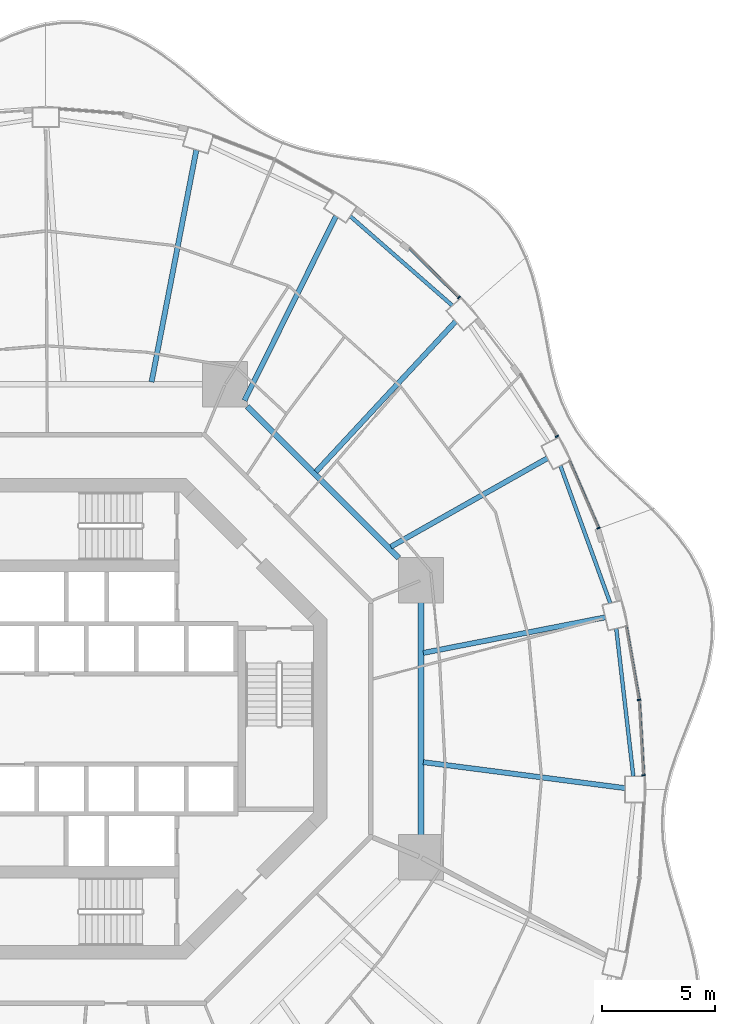
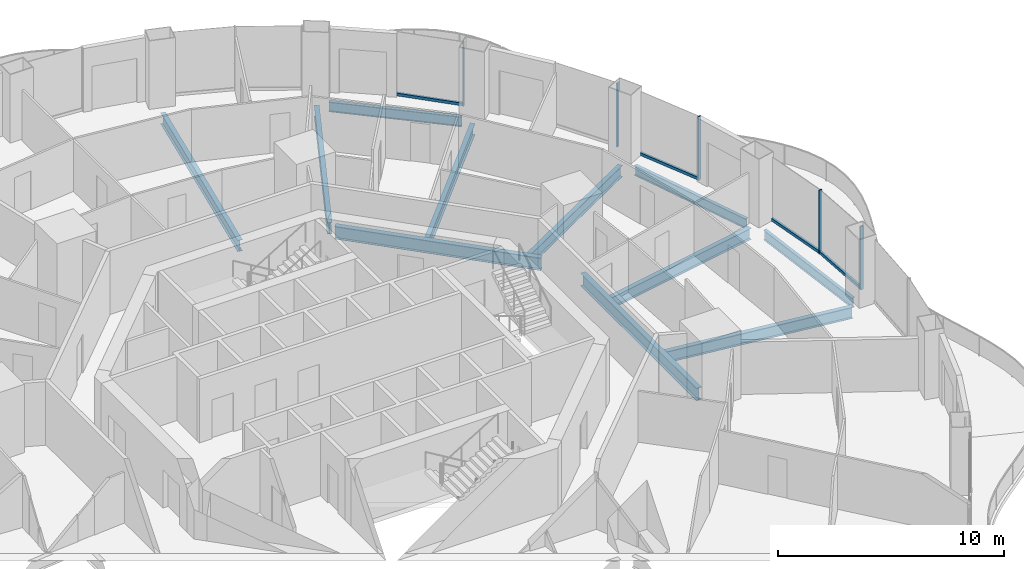
# One storey, part 9 of 21: 11 beams, 9 members, 5 elements without a shape of their own.
"""IFC4 building model written with IfcOpenShell, lengths in metres."""

from ifc_helpers import new_model, si_unit, direction, frame, origin, origin_2d, place, context, subcontext, project, spatial, rectangle, i_section, extrude, material, layer, layer_set, material_profile, profile_set, type_object, element, aggregate, save


model = new_model("IFC4")

# Units and contexts
model_context = context("Model", 3, precision=1e-05, world=origin(), true_north=direction((0.0, 1.0)))
body_context = subcontext(model_context, "Body", "Model", "MODEL_VIEW")
ifc_project = project(units=[si_unit("LENGTHUNIT", "METRE"), si_unit("AREAUNIT", "SQUARE_METRE"), si_unit("VOLUMEUNIT", "CUBIC_METRE"), si_unit("PLANEANGLEUNIT", "RADIAN"), si_unit("MASSUNIT", "GRAM", prefix="KILO")], contexts=[model_context])

# Site, building, storey
site_placement = place(None, origin())
site = spatial("IfcSite", under=ifc_project, at=site_placement, CompositionType="ELEMENT")
building_placement = place(site_placement, origin())
building = spatial("IfcBuilding", under=site, at=building_placement, Name="Nagisa Residences", CompositionType="ELEMENT")
storey_placement = place(building_placement, frame((0.0, 0.0, 138.10009765625)))
storey = spatial("IfcBuildingStorey", under=building, at=storey_placement, Name="L34", CompositionType="ELEMENT", Elevation=138.10009765625)

# Curtain wall, member
ifc_material_1 = material(Name="Concrete-coloured aluminium curtain wall system", Category="concrete")
ifc_layer = layer(ifc_material_1, 0.159912109375)
ifc_layer_set = layer_set([ifc_layer], Name="CW1 CURTAIN WALL")
curtain_wall_type = type_object("IfcCurtainWallType", Name="CW1 CURTAIN WALL", PredefinedType="NOTDEFINED", material=ifc_layer_set)
curtain_wall_1_placement = place(storey_placement, origin())
curtain_wall_1 = element("IfcCurtainWall", 1, at=curtain_wall_1_placement, inside=storey, type_object=curtain_wall_type, Name="cw:CW1:L34:00", PredefinedType="NOTDEFINED")
ifc_material_2 = material(Name="Concrete-coloured aluminium", Category="concrete")
ifc_material_profile_1 = material_profile(ifc_material_2, rectangle(XDim=0.159912109375, YDim=0.06005859375, at=origin_2d()), Name="CW1 MULLION 160x60")
ifc_profile_set_1 = profile_set([ifc_material_profile_1], Name="Concrete-coloured aluminium")
member_type_1 = type_object("IfcMemberType", Name="CW1 MULLION 160x60", PredefinedType="MULLION", material=ifc_profile_set_1)
member_1_placement = place(storey_placement, frame((24.618896484375, -2.493408203125, 0.0), z_axis=(0.0, 0.0, 1.0), x_axis=(-0.998345305184, -0.057503492216, 0.0)))
member_1 = element("IfcMember", 2, at=member_1_placement, type_object=member_type_1, Name="CW1 mullion", PredefinedType="MULLION", context=body_context, shape_type="SweptSolid", body=[
    extrude(rectangle(XDim=0.159912109375, YDim=0.06005859375, at=origin_2d()), origin(), (0.0, 0.0, 1.0), 3.43994140625),
])

curtain_wall_2_placement = place(storey_placement, origin())
curtain_wall_2 = element("IfcCurtainWall", 3, at=curtain_wall_2_placement, inside=storey, type_object=curtain_wall_type, Name="cw:CW1:L34:01", PredefinedType="NOTDEFINED")
member_2_placement = place(storey_placement, frame((24.424072265625, 0.83935546875, 0.0), z_axis=(0.0, 0.0, 1.0), x_axis=(-0.985063604377, -0.172190868898, 0.0)))
member_2 = element("IfcMember", 4, at=member_2_placement, type_object=member_type_1, Name="CW1 mullion", PredefinedType="MULLION", context=body_context, shape_type="SweptSolid", body=[
    extrude(rectangle(XDim=0.159912109375, YDim=0.06005859375, at=origin_2d()), origin(), (0.0, 0.0, 1.0), 3.43994140625),
])

curtain_wall_3_placement = place(storey_placement, origin())
curtain_wall_3 = element("IfcCurtainWall", 5, at=curtain_wall_3_placement, inside=storey, type_object=curtain_wall_type, Name="cw:CW1:L34:03", PredefinedType="NOTDEFINED")
member_3_placement = place(storey_placement, frame((22.6298828125, 8.43310546875, 0.0), z_axis=(0.0, 0.0, 1.0), x_axis=(-0.917543276295, -0.397635934147, 0.0)))
member_3 = element("IfcMember", 6, at=member_3_placement, type_object=member_type_1, Name="CW1 mullion", PredefinedType="MULLION", context=body_context, shape_type="SweptSolid", body=[
    extrude(rectangle(XDim=0.159912109375, YDim=0.06005859375, at=origin_2d()), origin(), (0.0, 0.0, 1.0), 3.43994140625),
])

curtain_wall_4_placement = place(storey_placement, origin())
curtain_wall_4 = element("IfcCurtainWall", 7, at=curtain_wall_4_placement, inside=storey, type_object=curtain_wall_type, Name="cw:CW1:L34:04", PredefinedType="NOTDEFINED")
member_4_placement = place(storey_placement, frame((20.7919921875, 12.482666015625, 0.0), z_axis=(0.0, 0.0, 1.0), x_axis=(-0.862328898214, -0.506348567002, 0.0)))
member_4 = element("IfcMember", 8, at=member_4_placement, type_object=member_type_1, Name="CW1 mullion", PredefinedType="MULLION", context=body_context, shape_type="SweptSolid", body=[
    extrude(rectangle(XDim=0.159912109375, YDim=0.06005859375, at=origin_2d()), origin(), (0.0, 0.0, 1.0), 3.43994140625),
])
aggregate(curtain_wall_4, [member_4])

curtain_wall_5_placement = place(storey_placement, origin())
curtain_wall_5 = element("IfcCurtainWall", 9, at=curtain_wall_5_placement, inside=storey, type_object=curtain_wall_type, Name="cw:CW1:L34:06", PredefinedType="NOTDEFINED")
member_5_placement = place(storey_placement, frame((16.460693359375, 18.621826171875, 0.0), z_axis=(0.0, 0.0, 1.0), x_axis=(-0.706376885714, -0.707835924016, 0.0)))
member_5 = element("IfcMember", 10, at=member_5_placement, type_object=member_type_1, Name="CW1 mullion", PredefinedType="MULLION", context=body_context, shape_type="SweptSolid", body=[
    extrude(rectangle(XDim=0.159912109375, YDim=0.06005859375, at=origin_2d()), origin(), (0.0, 0.0, 1.0), 3.43994140625),
])

# Member
ifc_material_3 = material(Name="Concrete-coloured aluminium", Category="concrete")
ifc_material_profile_2 = material_profile(ifc_material_3, rectangle(XDim=0.1201171875, YDim=0.14990234375, at=origin_2d()), Name="CW1 TRANSOM 120x150")
ifc_profile_set_2 = profile_set([ifc_material_profile_2], Name="Concrete-coloured aluminium")
member_type_2 = type_object("IfcMemberType", Name="CW1 TRANSOM 120x150", PredefinedType="USERDEFINED", material=ifc_profile_set_2)
member_6_placement = place(storey_placement, frame((24.62060546875, -2.523193359375, 0.074951171875), z_axis=(-0.057469329432, 0.998347272333, 0.0), x_axis=(-0.998347272333, -0.057469329432, 0.0)))
member_6 = element("IfcMember", 11, at=member_6_placement, type_object=member_type_2, Name="CW1 transom", ObjectType="TRANSOM", PredefinedType="USERDEFINED", context=body_context, shape_type="SweptSolid", body=[
    extrude(rectangle(XDim=0.1201171875, YDim=0.14990234375, at=origin_2d()), origin(), (0.0, 0.0, 1.0), 3.34765625),
])

aggregate(curtain_wall_1, [member_1, member_6])

member_7_placement = place(storey_placement, frame((24.42919921875, 0.809814453125, 0.074951171875), z_axis=(-0.172163521006, 0.985068384446, 0.0), x_axis=(-0.985068384446, -0.172163521006, 0.0)))
member_7 = element("IfcMember", 12, at=member_7_placement, type_object=member_type_2, Name="CW1 transom", ObjectType="TRANSOM", PredefinedType="USERDEFINED", context=body_context, shape_type="SweptSolid", body=[
    extrude(rectangle(XDim=0.1201171875, YDim=0.14990234375, at=origin_2d()), origin(), (0.0, 0.0, 1.0), 3.33251953125),
])

aggregate(curtain_wall_2, [member_2, member_7])

member_8_placement = place(storey_placement, frame((22.641845703125, 8.405517578125, 0.074951171875), z_axis=(-0.397638954585, 0.917541967321, 0.0), x_axis=(-0.917541967321, -0.397638954585, 0.0)))
member_8 = element("IfcMember", 13, at=member_8_placement, type_object=member_type_2, Name="CW1 transom", ObjectType="TRANSOM", PredefinedType="USERDEFINED", context=body_context, shape_type="SweptSolid", body=[
    extrude(rectangle(XDim=0.1201171875, YDim=0.14990234375, at=origin_2d()), origin(), (0.0, 0.0, 1.0), 3.2607421875),
])

aggregate(curtain_wall_3, [member_3, member_8])

member_9_placement = place(storey_placement, frame((16.48193359375, 18.6005859375, 0.074951171875), z_axis=(-0.707857739375, 0.706355024621, 0.0), x_axis=(-0.706355024621, -0.707857739375, 0.0)))
member_9 = element("IfcMember", 14, at=member_9_placement, type_object=member_type_2, Name="CW1 transom", ObjectType="TRANSOM", PredefinedType="USERDEFINED", context=body_context, shape_type="SweptSolid", body=[
    extrude(rectangle(XDim=0.1201171875, YDim=0.14990234375, at=origin_2d()), origin(), (0.0, 0.0, 1.0), 3.0869140625),
])

aggregate(curtain_wall_5, [member_5, member_9])

# Beams
ifc_material_4 = material(Name="Steel ASTM A572 Gr 50", Category="steel")
ifc_material_profile_3 = material_profile(ifc_material_4, i_section(OverallWidth=0.25390625, OverallDepth=0.68408203125, WebThickness=0.012451171875, FlangeThickness=0.018798828125, at=origin_2d()), Name="W690x140")
ifc_profile_set_3 = profile_set([ifc_material_profile_3], Name="Steel ASTM A572 Gr 50")
beam_type_1 = type_object("IfcBeamType", Name="Inner ring beam W690x140", PredefinedType="BEAM", material=ifc_profile_set_3)
beam_1_placement = place(storey_placement, frame((13.796142578125, 7.10888671875, -0.60205078125), z_axis=(-0.707106781187, 0.707106781187, 0.0), x_axis=(-0.707106781187, -0.707106781187, 0.0)))
element("IfcBeam", 15, at=beam_1_placement, inside=storey, type_object=beam_type_1, Name="beam:L34:ib1", PredefinedType="BEAM", context=body_context, shape_type="SweptSolid", body=[
    extrude(i_section(OverallWidth=0.25390625, OverallDepth=0.68408203125, WebThickness=0.012451171875, FlangeThickness=0.018798828125, at=origin_2d()), origin(), (0.0, 0.0, 1.0), 9.457275390625),
])
beam_2_placement = place(storey_placement, frame((14.781982421875, -5.142822265625, -0.60205078125), z_axis=(0.0, 1.0, 0.0), x_axis=(-1.0, 0.0, 0.0)))
element("IfcBeam", 16, at=beam_2_placement, inside=storey, type_object=beam_type_1, Name="beam:L34:ib8", PredefinedType="BEAM", context=body_context, shape_type="SweptSolid", body=[
    extrude(i_section(OverallWidth=0.25390625, OverallDepth=0.68408203125, WebThickness=0.012451171875, FlangeThickness=0.018798828125, at=origin_2d()), origin(), (0.0, 0.0, 1.0), 10.28564453125),
])
ifc_material_5 = material(Name="Steel ASTM A572 Gr 50", Category="steel")
ifc_material_profile_4 = material_profile(ifc_material_5, i_section(OverallWidth=0.166015625, OverallDepth=0.534912109375, WebThickness=0.01025390625, FlangeThickness=0.0166015625, at=origin_2d()), Name="W530x85")
ifc_profile_set_4 = profile_set([ifc_material_profile_4], Name="Steel ASTM A572 Gr 50")
beam_type_2 = type_object("IfcBeamType", Name="Perimeter ring beam W530x85", PredefinedType="BEAM", material=ifc_profile_set_4)
beam_3_placement = place(storey_placement, frame((24.16796875, -2.53759765625, -0.527587890625), z_axis=(-0.114660786771, 0.993404703017, 0.0), x_axis=(-0.993404703017, -0.114660786771, 0.0)))
element("IfcBeam", 17, at=beam_3_placement, inside=storey, type_object=beam_type_2, Name="beam:L34:pb01", PredefinedType="BEAM", context=body_context, shape_type="SweptSolid", body=[
    extrude(i_section(OverallWidth=0.166015625, OverallDepth=0.534912109375, WebThickness=0.01025390625, FlangeThickness=0.0166015625, at=origin_2d()), origin(), (0.0, 0.0, 1.0), 6.568603515625),
])
beam_4_placement = place(storey_placement, frame((23.1484375, 5.116943359375, -0.527587890625), z_axis=(-0.341332802315, 0.93994250785, 0.0), x_axis=(-0.93994250785, -0.341332802315, 0.0)))
element("IfcBeam", 18, at=beam_4_placement, inside=storey, type_object=beam_type_2, Name="beam:L34:pb02", PredefinedType="BEAM", context=body_context, shape_type="SweptSolid", body=[
    extrude(i_section(OverallWidth=0.166015625, OverallDepth=0.534912109375, WebThickness=0.01025390625, FlangeThickness=0.0166015625, at=origin_2d()), origin(), (0.0, 0.0, 1.0), 6.450927734375),
])
beam_5_placement = place(storey_placement, frame((16.169189453125, 18.26513671875, -0.527587890625), z_axis=(-0.752503526528, 0.658588219272, 0.0), x_axis=(-0.658588219272, -0.752503526528, 0.0)))
element("IfcBeam", 19, at=beam_5_placement, inside=storey, type_object=beam_type_2, Name="beam:L34:pb04", PredefinedType="BEAM", context=body_context, shape_type="SweptSolid", body=[
    extrude(i_section(OverallWidth=0.166015625, OverallDepth=0.534912109375, WebThickness=0.01025390625, FlangeThickness=0.0166015625, at=origin_2d()), origin(), (0.0, 0.0, 1.0), 5.99462890625),
])
ifc_material_6 = material(Name="Steel ASTM A572 Gr 50", Category="steel")
ifc_material_profile_5 = material_profile(ifc_material_6, i_section(OverallWidth=0.22900390625, OverallDepth=0.612060546875, WebThickness=0.011962890625, FlangeThickness=0.01953125, at=origin_2d()), Name="W610x125")
ifc_profile_set_5 = profile_set([ifc_material_profile_5], Name="Steel ASTM A572 Gr 50")
beam_type_3 = type_object("IfcBeamType", Name="Radial beam W610x125", PredefinedType="BEAM", material=ifc_profile_set_5)
beam_6_placement = place(storey_placement, frame((23.804931640625, -3.062255859375, -0.566162109375), z_axis=(-0.991829934558, 0.127567162371, 0.0), x_axis=(-0.127567162371, -0.991829934558, 0.0)))
element("IfcBeam", 20, at=beam_6_placement, inside=storey, type_object=beam_type_3, Name="beam:L34:rb01", PredefinedType="BEAM", context=body_context, shape_type="SweptSolid", body=[
    extrude(i_section(OverallWidth=0.22900390625, OverallDepth=0.612060546875, WebThickness=0.011962890625, FlangeThickness=0.01953125, at=origin_2d()), origin(), (0.0, 0.0, 1.0), 8.9892578125),
])
beam_7_placement = place(storey_placement, frame((22.925537109375, 4.4853515625, -0.566162109375), z_axis=(-0.981393143406, -0.192009109355, 0.0), x_axis=(0.192009109355, -0.981393143406, 0.0)))
element("IfcBeam", 21, at=beam_7_placement, inside=storey, type_object=beam_type_3, Name="beam:L34:rb02", PredefinedType="BEAM", context=body_context, shape_type="SweptSolid", body=[
    extrude(i_section(OverallWidth=0.22900390625, OverallDepth=0.612060546875, WebThickness=0.011962890625, FlangeThickness=0.01953125, at=origin_2d()), origin(), (0.0, 0.0, 1.0), 8.1884765625),
])
beam_8_placement = place(storey_placement, frame((20.372314453125, 11.51806640625, -0.566162109375), z_axis=(-0.870505636565, -0.492158446751, 0.0), x_axis=(0.492158446751, -0.870505636565, 0.0)))
element("IfcBeam", 22, at=beam_8_placement, inside=storey, type_object=beam_type_3, Name="beam:L34:rb03", PredefinedType="BEAM", context=body_context, shape_type="SweptSolid", body=[
    extrude(i_section(OverallWidth=0.22900390625, OverallDepth=0.612060546875, WebThickness=0.011962890625, FlangeThickness=0.01953125, at=origin_2d()), origin(), (0.0, 0.0, 1.0), 7.949951171875),
])
beam_9_placement = place(storey_placement, frame((16.315185546875, 17.56298828125, -0.566162109375), z_axis=(-0.680605908425, -0.7326497099, 0.0), x_axis=(0.7326497099, -0.680605908425, 0.0)))
element("IfcBeam", 23, at=beam_9_placement, inside=storey, type_object=beam_type_3, Name="beam:L34:rb04", PredefinedType="BEAM", context=body_context, shape_type="SweptSolid", body=[
    extrude(i_section(OverallWidth=0.22900390625, OverallDepth=0.612060546875, WebThickness=0.011962890625, FlangeThickness=0.01953125, at=origin_2d()), origin(), (0.0, 0.0, 1.0), 9.072509765625),
])
beam_10_placement = place(storey_placement, frame((11.02490234375, 22.2109375, -0.566162109375), z_axis=(-0.444599872799, -0.895729285614, 0.0), x_axis=(0.895729285614, -0.444599872799, 0.0)))
element("IfcBeam", 24, at=beam_10_placement, inside=storey, type_object=beam_type_3, Name="beam:L34:rb05", PredefinedType="BEAM", context=body_context, shape_type="SweptSolid", body=[
    extrude(i_section(OverallWidth=0.22900390625, OverallDepth=0.612060546875, WebThickness=0.011962890625, FlangeThickness=0.01953125, at=origin_2d()), origin(), (0.0, 0.0, 1.0), 9.085693359375),
])
beam_11_placement = place(storey_placement, frame((4.8564453125, 25.140869140625, -0.566162109375), z_axis=(-0.189659094365, -0.981850002762, 0.0), x_axis=(0.981850002762, -0.189659094365, 0.0)))
element("IfcBeam", 25, at=beam_11_placement, inside=storey, type_object=beam_type_3, Name="beam:L34:rb06", PredefinedType="BEAM", context=body_context, shape_type="SweptSolid", body=[
    extrude(i_section(OverallWidth=0.22900390625, OverallDepth=0.612060546875, WebThickness=0.011962890625, FlangeThickness=0.01953125, at=origin_2d()), origin(), (0.0, 0.0, 1.0), 10.44091796875),
])

save(model, "model.ifc")
